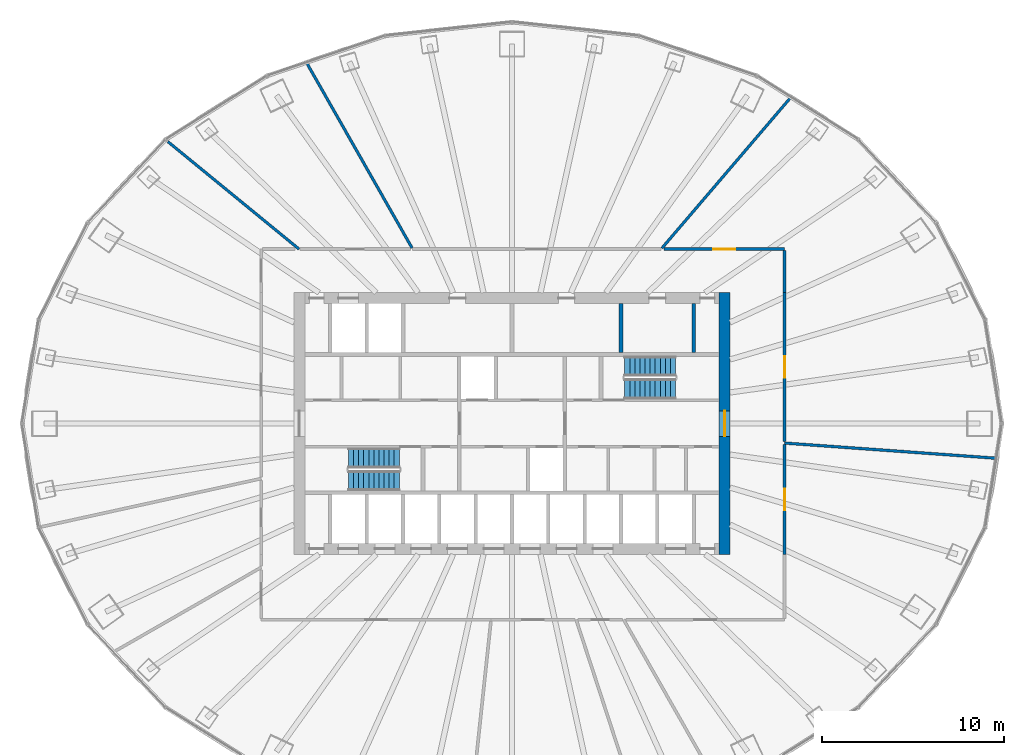
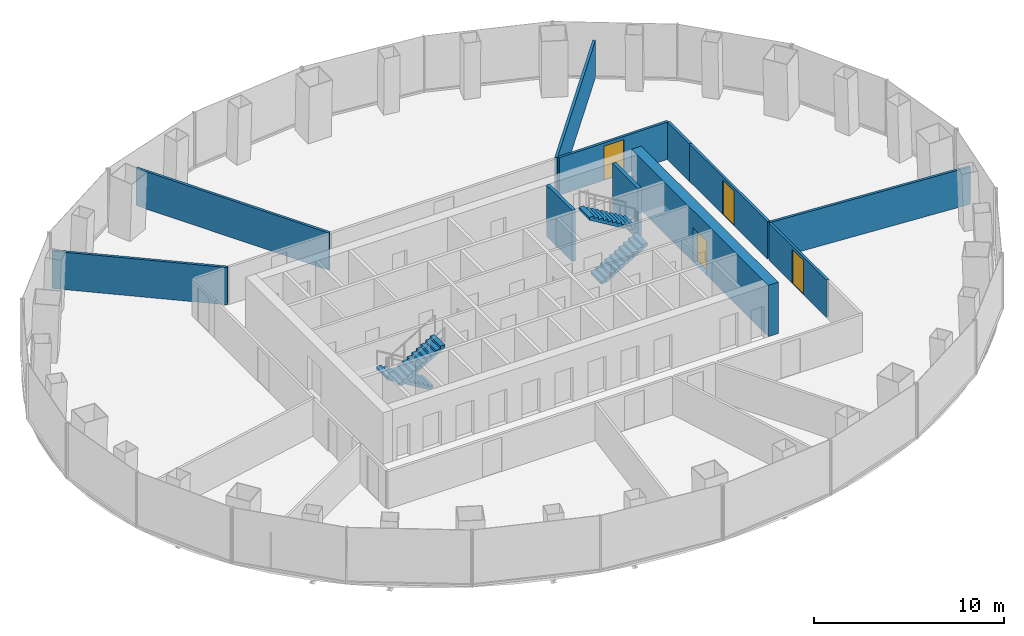
# One storey, part 10 of 11: 11 walls, 4 doors, 4 stair flights, 4 openings, 2 elements without a shape of their own.
"""IFC4 building model written with IfcOpenShell, lengths in metres."""

from ifc_helpers import new_model, si_unit, direction, frame, frame_2d, origin, place, context, subcontext, project, spatial, polyline, rectangle, outline, extrude, material, layer, layer_set, type_object, element, fill, aggregate, save


model = new_model("IFC4")

# Units and contexts
model_context = context("Model", 3, precision=1e-05, world=origin(), true_north=direction((0.0, 1.0)))
body_context = subcontext(model_context, "Body", "Model", "MODEL_VIEW")
ifc_project = project(units=[si_unit("LENGTHUNIT", "METRE"), si_unit("AREAUNIT", "SQUARE_METRE"), si_unit("VOLUMEUNIT", "CUBIC_METRE"), si_unit("PLANEANGLEUNIT", "RADIAN"), si_unit("MASSUNIT", "GRAM", prefix="KILO")], contexts=[model_context])

# Site, building, storey
site_placement = place(None, origin())
site = spatial("IfcSite", under=ifc_project, at=site_placement, CompositionType="ELEMENT")
building_placement = place(site_placement, origin())
building = spatial("IfcBuilding", under=site, at=building_placement, Name="Siaravel Broadcast Tower", CompositionType="ELEMENT")
storey_placement = place(building_placement, frame((0.0, 0.0, 77.800048828125)))
storey = spatial("IfcBuildingStorey", under=building, at=storey_placement, Name="L18", CompositionType="ELEMENT", Elevation=77.800048828125)

# Wall
ifc_material_1 = material(Name="Concrete blockwork", Category="masonry")
ifc_layer_1 = layer(ifc_material_1, 0.199951171875)
ifc_layer_set_1 = layer_set([ifc_layer_1], Name="Concrete blockwork")
wall_type_1 = type_object("IfcWallType", Name="Core partition 200", PredefinedType="PARTITIONING", material=ifc_layer_set_1)
wall_1_placement = place(storey_placement, frame((6.0, 3.89990234375, 0.0), z_axis=(0.0, 0.0, 1.0), x_axis=(0.0, 1.0, 0.0)))
element("IfcWall", 1, at=wall_1_placement, inside=storey, type_object=wall_type_1, Name="L18 core partition PFN5", PredefinedType="PARTITIONING", context=body_context, shape_type="SweptSolid", body=[
    extrude(rectangle(XDim=2.7001953125, YDim=0.199951171875, at=frame_2d((1.35009765625, 0.0))), origin(), (0.0, 0.0, 1.0), 3.300048828125),
])

# Wall, opening, door
ifc_material_2 = material(Name="Concrete C60/75", Category="concrete")
ifc_layer_2 = layer(ifc_material_2, 0.60009765625)
ifc_layer_set_2 = layer_set([ifc_layer_2], Name="Concrete C60/75")
wall_type_2 = type_object("IfcWallType", Name="Core wall 600", PredefinedType="SHEAR", material=ifc_layer_set_2)
wall_2_placement = place(storey_placement, frame((11.699951171875, -7.199951171875, 0.0), z_axis=(0.0, 0.0, 1.0), x_axis=(0.0, 1.0, 0.0)))
wall_2 = element("IfcWall", 2, at=wall_2_placement, inside=storey, type_object=wall_type_2, Name="L18 core wall OE", PredefinedType="SHEAR", context=body_context, shape_type="SweptSolid", body=[
    extrude(rectangle(XDim=14.39990234375, YDim=0.60009765625, at=frame_2d((7.199951171875, 0.0))), origin(), (0.0, 0.0, 1.0), 3.300048828125),
])
opening_1_placement = place(wall_2_placement, frame((6.5, 0.0, 0.0)))
opening_1 = element("IfcOpeningElement", 3, at=opening_1_placement, cuts=wall_2, Name="Opening L18-DX-E", PredefinedType="OPENING", context=body_context, shape_type="SweptSolid", body=[
    extrude(rectangle(XDim=1.39990234375, YDim=2.199951171875, at=frame_2d((0.699951171875, 1.10009765625))), frame((0.0, 0.31005859375, 0.0), z_axis=(0.0, -1.0, 0.0), x_axis=(1.0, 0.0, 0.0)), (0.0, 0.0, 1.0), 0.6201171875),
])
ifc_material_3 = material(Name="Steel", Category="steel")
door_type_1 = type_object("IfcDoorType", Name="Core exit door 1400", OperationType="DOUBLE_DOOR_SINGLE_SWING", PredefinedType="DOOR", material=ifc_material_3)
door_1_placement = place(opening_1_placement, origin())
door_1 = element("IfcDoor", 4, at=door_1_placement, inside=storey, type_object=door_type_1, Name="L18 door DX-E", OperationType="DOUBLE_DOOR_SINGLE_SWING", OverallHeight=2.199951171875, OverallWidth=1.39990234375, PredefinedType="DOOR", context=body_context, shape_type="SweptSolid", body=[
    extrude(rectangle(XDim=1.39990234375, YDim=2.199951171875, at=frame_2d((0.699951171875, 1.10009765625))), frame((0.0, 0.02490234375, 0.0), z_axis=(0.0, -1.0, 0.0), x_axis=(1.0, 0.0, 0.0)), (0.0, 0.0, 1.0), 0.050048828125),
])
fill(opening_1, door_1)

ifc_material_4 = material(Name="Gypsum board partition", Category="gypsum")
ifc_layer_3 = layer(ifc_material_4, 0.14990234375)
ifc_layer_set_3 = layer_set([ifc_layer_3], Name="Gypsum board partition")
wall_type_3 = type_object("IfcWallType", Name="Corridor wall 150", PredefinedType="PARTITIONING", material=ifc_layer_set_3)
wall_3_placement = place(storey_placement, frame((15.0, -0.998291015625, 0.0), z_axis=(0.0, 0.0, 1.0), x_axis=(0.0, 1.0, 0.0)))
wall_3 = element("IfcWall", 5, at=wall_3_placement, inside=storey, type_object=wall_type_3, Name="L18 partition 14", PredefinedType="PARTITIONING", context=body_context, shape_type="SweptSolid", body=[
    extrude(rectangle(XDim=8.210205078125, YDim=0.14990234375, at=frame_2d((4.10498046875, 0.0))), origin(), (0.0, 0.0, 1.0), 2.39990234375),
])
opening_2_placement = place(wall_3_placement, frame((3.505126953125, 0.0, 0.0)))
opening_2 = element("IfcOpeningElement", 6, at=opening_2_placement, cuts=wall_3, Name="Opening L18-003", PredefinedType="OPENING", context=body_context, shape_type="SweptSolid", body=[
    extrude(rectangle(XDim=1.199951171875, YDim=2.199951171875, at=frame_2d((0.60009765625, 1.10009765625))), frame((0.0, 0.0849609375, 0.0), z_axis=(0.0, -1.0, 0.0), x_axis=(1.0, 0.0, 0.0)), (0.0, 0.0, 1.0), 0.169921875),
])
ifc_material_5 = material(Name="Timber veneer", Category="wood")
door_type_2 = type_object("IfcDoorType", Name="Office double door 1200", OperationType="DOUBLE_DOOR_SINGLE_SWING", PredefinedType="DOOR", material=ifc_material_5)
door_2_placement = place(opening_2_placement, origin())
door_2 = element("IfcDoor", 7, at=door_2_placement, inside=storey, type_object=door_type_2, Name="L18 door to Open plan newsroom", OperationType="DOUBLE_DOOR_SINGLE_SWING", OverallHeight=2.199951171875, OverallWidth=1.199951171875, PredefinedType="DOOR", context=body_context, shape_type="SweptSolid", body=[
    extrude(rectangle(XDim=1.199951171875, YDim=2.199951171875, at=frame_2d((0.60009765625, 1.10009765625))), frame((0.0, 0.02490234375, 0.0), z_axis=(0.0, -1.0, 0.0), x_axis=(1.0, 0.0, 0.0)), (0.0, 0.0, 1.0), 0.050048828125),
])
fill(opening_2, door_2)

wall_4_placement = place(storey_placement, frame((15.0, 9.60009765625, 0.0), z_axis=(0.0, 0.0, 1.0), x_axis=(-1.0, 0.0, 0.0)))
wall_4 = element("IfcWall", 8, at=wall_4_placement, inside=storey, type_object=wall_type_3, Name="L18 partition 15", PredefinedType="PARTITIONING", context=body_context, shape_type="SweptSolid", body=[
    extrude(rectangle(XDim=6.62890625, YDim=0.14990234375, at=frame_2d((3.314453125, 0.0))), origin(), (0.0, 0.0, 1.0), 2.39990234375),
])
opening_3_placement = place(wall_4_placement, frame((2.71435546875, 0.0, 0.0)))
opening_3 = element("IfcOpeningElement", 9, at=opening_3_placement, cuts=wall_4, Name="Opening L18-004", PredefinedType="OPENING", context=body_context, shape_type="SweptSolid", body=[
    extrude(rectangle(XDim=1.199951171875, YDim=2.199951171875, at=frame_2d((0.60009765625, 1.10009765625))), frame((0.0, 0.0849609375, 0.0), z_axis=(0.0, -1.0, 0.0), x_axis=(1.0, 0.0, 0.0)), (0.0, 0.0, 1.0), 0.169921875),
])
door_3_placement = place(opening_3_placement, origin())
door_3 = element("IfcDoor", 10, at=door_3_placement, inside=storey, type_object=door_type_2, Name="L18 door to Open plan newsroom", OperationType="DOUBLE_DOOR_SINGLE_SWING", OverallHeight=2.199951171875, OverallWidth=1.199951171875, PredefinedType="DOOR", context=body_context, shape_type="SweptSolid", body=[
    extrude(rectangle(XDim=1.199951171875, YDim=2.199951171875, at=frame_2d((0.60009765625, 1.10009765625))), frame((0.0, 0.02490234375, 0.0), z_axis=(0.0, -1.0, 0.0), x_axis=(1.0, 0.0, 0.0)), (0.0, 0.0, 1.0), 0.050048828125),
])
fill(opening_3, door_3)

wall_5_placement = place(storey_placement, frame((15.0, -7.2119140625, 0.0), z_axis=(0.0, 0.0, 1.0), x_axis=(0.0, 1.0, 0.0)))
wall_5 = element("IfcWall", 11, at=wall_5_placement, inside=storey, type_object=wall_type_3, Name="L18 partition 17", PredefinedType="PARTITIONING", context=body_context, shape_type="SweptSolid", body=[
    extrude(rectangle(XDim=6.054443359375, YDim=0.14990234375, at=frame_2d((3.02734375, 0.0))), origin(), (0.0, 0.0, 1.0), 2.39990234375),
])
opening_4_placement = place(wall_5_placement, frame((2.42724609375, 0.0, 0.0)))
opening_4 = element("IfcOpeningElement", 12, at=opening_4_placement, cuts=wall_5, Name="Opening L18-002", PredefinedType="OPENING", context=body_context, shape_type="SweptSolid", body=[
    extrude(rectangle(XDim=1.199951171875, YDim=2.199951171875, at=frame_2d((0.60009765625, 1.10009765625))), frame((0.0, 0.0849609375, 0.0), z_axis=(0.0, -1.0, 0.0), x_axis=(1.0, 0.0, 0.0)), (0.0, 0.0, 1.0), 0.169921875),
])
door_4_placement = place(opening_4_placement, origin())
door_4 = element("IfcDoor", 13, at=door_4_placement, inside=storey, type_object=door_type_2, Name="L18 door to Open plan newsroom", OperationType="DOUBLE_DOOR_SINGLE_SWING", OverallHeight=2.199951171875, OverallWidth=1.199951171875, PredefinedType="DOOR", context=body_context, shape_type="SweptSolid", body=[
    extrude(rectangle(XDim=1.199951171875, YDim=2.199951171875, at=frame_2d((0.60009765625, 1.10009765625))), frame((0.0, 0.02490234375, 0.0), z_axis=(0.0, -1.0, 0.0), x_axis=(1.0, 0.0, 0.0)), (0.0, 0.0, 1.0), 0.050048828125),
])
fill(opening_4, door_4)

# Walls
wall_6_placement = place(storey_placement, frame((15.0, 7.212890625, 0.0), z_axis=(0.0, 0.0, 1.0), x_axis=(0.0, 1.0, 0.0)))
element("IfcWall", 14, at=wall_6_placement, inside=storey, type_object=wall_type_3, Name="L18 partition 24", PredefinedType="PARTITIONING", context=body_context, shape_type="SweptSolid", body=[
    extrude(rectangle(XDim=2.31005859375, YDim=0.14990234375, at=frame_2d((1.155029296875, 0.0))), origin(), (0.0, 0.0, 1.0), 2.39990234375),
])
ifc_layer_4 = layer(ifc_material_4, 0.14990234375)
ifc_layer_set_4 = layer_set([ifc_layer_4], Name="Gypsum board partition")
wall_type_4 = type_object("IfcWallType", Name="Room partition 150", PredefinedType="PARTITIONING", material=ifc_layer_set_4)
wall_7_placement = place(storey_placement, frame((-11.313720703125, 19.873779296875, 0.0), z_axis=(0.0, 0.0, 1.0), x_axis=(0.49473362, -0.869044674, 0.0)))
element("IfcWall", 15, at=wall_7_placement, inside=storey, type_object=wall_type_4, Name="L18 partition 4", PredefinedType="PARTITIONING", context=body_context, shape_type="SweptSolid", body=[
    extrude(rectangle(XDim=11.754638671875, YDim=0.14990234375, at=frame_2d((5.87744140625, 0.0))), origin(), (0.0, 0.0, 1.0), 2.39990234375),
])
wall_8_placement = place(storey_placement, frame((26.691650390625, -1.912841796875, 0.0), z_axis=(0.0, 0.0, 1.0), x_axis=(-0.997441861, 0.071482396, 0.0)))
element("IfcWall", 16, at=wall_8_placement, inside=storey, type_object=wall_type_4, Name="L18 partition 5", PredefinedType="PARTITIONING", context=body_context, shape_type="SweptSolid", body=[
    extrude(rectangle(XDim=11.7216796875, YDim=0.14990234375, at=frame_2d((5.86083984375, 0.0))), origin(), (0.0, 0.0, 1.0), 2.39990234375),
])
wall_9_placement = place(storey_placement, frame((15.35693359375, 17.965087890625, 0.0), z_axis=(0.0, 0.0, 1.0), x_axis=(-0.649780526, -0.760121877, 0.0)))
element("IfcWall", 17, at=wall_9_placement, inside=storey, type_object=wall_type_4, Name="L18 partition 7", PredefinedType="PARTITIONING", context=body_context, shape_type="SweptSolid", body=[
    extrude(rectangle(XDim=10.94580078125, YDim=0.14990234375, at=frame_2d((5.472900390625, 0.0))), origin(), (0.0, 0.0, 1.0), 2.39990234375),
])
wall_10_placement = place(storey_placement, frame((-18.93701171875, 15.511474609375, 0.0), z_axis=(0.0, 0.0, 1.0), x_axis=(0.773614383, -0.633656678, 0.0)))
element("IfcWall", 18, at=wall_10_placement, inside=storey, type_object=wall_type_4, Name="L18 partition 12", PredefinedType="PARTITIONING", context=body_context, shape_type="SweptSolid", body=[
    extrude(rectangle(XDim=9.3291015625, YDim=0.14990234375, at=frame_2d((4.66455078125, 0.0))), origin(), (0.0, 0.0, 1.0), 2.39990234375),
])
ifc_layer_5 = layer(ifc_material_2, 0.199951171875)
ifc_layer_set_5 = layer_set([ifc_layer_5], Name="Concrete C60/75")
wall_type_5 = type_object("IfcWallType", Name="Shaft wall 200", PredefinedType="SHEAR", material=ifc_layer_set_5)
wall_11_placement = place(storey_placement, frame((10.0, 3.89990234375, 0.0), z_axis=(0.0, 0.0, 1.0), x_axis=(0.0, 1.0, 0.0)))
element("IfcWall", 19, at=wall_11_placement, inside=storey, type_object=wall_type_5, Name="L18 core wall SWN10", PredefinedType="SHEAR", context=body_context, shape_type="SweptSolid", body=[
    extrude(rectangle(XDim=2.7001953125, YDim=0.199951171875, at=frame_2d((1.35009765625, 0.0))), origin(), (0.0, 0.0, 1.0), 3.300048828125),
])

# Stair, stair flights
ifc_material_6 = material(Name="Concrete C40/50", Category="concrete")
stair_type = type_object("IfcStairType", Name="Core exit stair", PredefinedType="HALF_TURN_STAIR", material=ifc_material_6)
stair_1_placement = place(storey_placement, origin())
stair_1 = element("IfcStair", 20, at=stair_1_placement, inside=storey, type_object=stair_type, Name="L18 Exit stair ST-1", PredefinedType="HALF_TURN_STAIR")
stair_flight_type = type_object("IfcStairFlightType", Name="Stair flight 1100", PredefinedType="STRAIGHT", material=ifc_material_6)
stair_flight_1_placement = place(storey_placement, frame((-6.199951171875, -1.89990234375, 0.0), z_axis=(0.0, 0.0, 1.0), x_axis=(-1.0, 0.0, 0.0)))
stair_flight_1 = element("IfcStairFlight", 21, at=stair_flight_1_placement, type_object=stair_flight_type, Name="ST-1 flight 1", NumberOfRisers=11, NumberOfTreads=10, PredefinedType="STRAIGHT", RiserHeight=0.1681818, TreadLength=0.28, context=body_context, shape_type="SweptSolid", body=[
    extrude(outline(polyline([(0.0, 0.0), (0.0, 0.168212890625), (0.280029296875, 0.168212890625), (0.280029296875, 0.33642578125), (0.56005859375, 0.33642578125), (0.56005859375, 0.504638671875), (0.840087890625, 0.504638671875), (0.840087890625, 0.672607421875), (1.1201171875, 0.672607421875), (1.1201171875, 0.8408203125), (1.39990234375, 0.8408203125), (1.39990234375, 1.009033203125), (1.679931640625, 1.009033203125), (1.679931640625, 1.17724609375), (1.9599609375, 1.17724609375), (1.9599609375, 1.345458984375), (2.239990234375, 1.345458984375), (2.239990234375, 1.513671875), (2.52001953125, 1.513671875), (2.52001953125, 1.681884765625), (2.800048828125, 1.681884765625), (2.800048828125, 1.85009765625), (2.800048828125, 1.5068359375), (0.291015625, 0.0), (0.0, 0.0)])), frame((0.0, 0.550048828125, 0.0), z_axis=(0.0, -1.0, 0.0), x_axis=(1.0, 0.0, 0.0)), (0.0, 0.0, 1.0), 1.10009765625),
])
stair_flight_2_placement = place(storey_placement, frame((-9.0, -3.14990234375, 1.849853515625), z_axis=(0.0, 0.0, 1.0), x_axis=(1.0, 0.0, 0.0)))
stair_flight_2 = element("IfcStairFlight", 22, at=stair_flight_2_placement, type_object=stair_flight_type, Name="ST-1 flight 2", NumberOfRisers=11, NumberOfTreads=10, PredefinedType="STRAIGHT", RiserHeight=0.1681818, TreadLength=0.28, context=body_context, shape_type="SweptSolid", body=[
    extrude(outline(polyline([(0.0, 0.0), (0.0, 0.168212890625), (0.280029296875, 0.168212890625), (0.280029296875, 0.33642578125), (0.56005859375, 0.33642578125), (0.56005859375, 0.504638671875), (0.840087890625, 0.504638671875), (0.840087890625, 0.672607421875), (1.1201171875, 0.672607421875), (1.1201171875, 0.8408203125), (1.39990234375, 0.8408203125), (1.39990234375, 1.009033203125), (1.679931640625, 1.009033203125), (1.679931640625, 1.17724609375), (1.9599609375, 1.17724609375), (1.9599609375, 1.345458984375), (2.239990234375, 1.345458984375), (2.239990234375, 1.513671875), (2.52001953125, 1.513671875), (2.52001953125, 1.681884765625), (2.800048828125, 1.681884765625), (2.800048828125, 1.85009765625), (2.800048828125, 1.5068359375), (0.291015625, 0.0), (0.0, 0.0)])), frame((0.0, 0.550048828125, 0.0), z_axis=(0.0, -1.0, 0.0), x_axis=(1.0, 0.0, 0.0)), (0.0, 0.0, 1.0), 1.10009765625),
])
aggregate(stair_1, [stair_flight_1, stair_flight_2])

stair_2_placement = place(storey_placement, origin())
stair_2 = element("IfcStair", 23, at=stair_2_placement, inside=storey, type_object=stair_type, Name="L18 Exit stair ST-2", PredefinedType="HALF_TURN_STAIR")
stair_flight_3_placement = place(storey_placement, frame((6.199951171875, 1.89990234375, 0.0), z_axis=(0.0, 0.0, 1.0), x_axis=(1.0, 0.0, 0.0)))
stair_flight_3 = element("IfcStairFlight", 24, at=stair_flight_3_placement, type_object=stair_flight_type, Name="ST-2 flight 1", NumberOfRisers=11, NumberOfTreads=10, PredefinedType="STRAIGHT", RiserHeight=0.1681818, TreadLength=0.28, context=body_context, shape_type="SweptSolid", body=[
    extrude(outline(polyline([(0.0, 0.0), (0.0, 0.168212890625), (0.280029296875, 0.168212890625), (0.280029296875, 0.33642578125), (0.56005859375, 0.33642578125), (0.56005859375, 0.504638671875), (0.840087890625, 0.504638671875), (0.840087890625, 0.672607421875), (1.1201171875, 0.672607421875), (1.1201171875, 0.8408203125), (1.39990234375, 0.8408203125), (1.39990234375, 1.009033203125), (1.679931640625, 1.009033203125), (1.679931640625, 1.17724609375), (1.9599609375, 1.17724609375), (1.9599609375, 1.345458984375), (2.239990234375, 1.345458984375), (2.239990234375, 1.513671875), (2.52001953125, 1.513671875), (2.52001953125, 1.681884765625), (2.800048828125, 1.681884765625), (2.800048828125, 1.85009765625), (2.800048828125, 1.5068359375), (0.291015625, 0.0), (0.0, 0.0)])), frame((0.0, 0.550048828125, 0.0), z_axis=(0.0, -1.0, 0.0), x_axis=(1.0, 0.0, 0.0)), (0.0, 0.0, 1.0), 1.10009765625),
])
stair_flight_4_placement = place(storey_placement, frame((9.0, 3.14990234375, 1.849853515625), z_axis=(0.0, 0.0, 1.0), x_axis=(-1.0, 0.0, 0.0)))
stair_flight_4 = element("IfcStairFlight", 25, at=stair_flight_4_placement, type_object=stair_flight_type, Name="ST-2 flight 2", NumberOfRisers=11, NumberOfTreads=10, PredefinedType="STRAIGHT", RiserHeight=0.1681818, TreadLength=0.28, context=body_context, shape_type="SweptSolid", body=[
    extrude(outline(polyline([(0.0, 0.0), (0.0, 0.168212890625), (0.280029296875, 0.168212890625), (0.280029296875, 0.33642578125), (0.56005859375, 0.33642578125), (0.56005859375, 0.504638671875), (0.840087890625, 0.504638671875), (0.840087890625, 0.672607421875), (1.1201171875, 0.672607421875), (1.1201171875, 0.8408203125), (1.39990234375, 0.8408203125), (1.39990234375, 1.009033203125), (1.679931640625, 1.009033203125), (1.679931640625, 1.17724609375), (1.9599609375, 1.17724609375), (1.9599609375, 1.345458984375), (2.239990234375, 1.345458984375), (2.239990234375, 1.513671875), (2.52001953125, 1.513671875), (2.52001953125, 1.681884765625), (2.800048828125, 1.681884765625), (2.800048828125, 1.85009765625), (2.800048828125, 1.5068359375), (0.291015625, 0.0), (0.0, 0.0)])), frame((0.0, 0.550048828125, 0.0), z_axis=(0.0, -1.0, 0.0), x_axis=(1.0, 0.0, 0.0)), (0.0, 0.0, 1.0), 1.10009765625),
])
aggregate(stair_2, [stair_flight_3, stair_flight_4])

save(model, "model.ifc")
